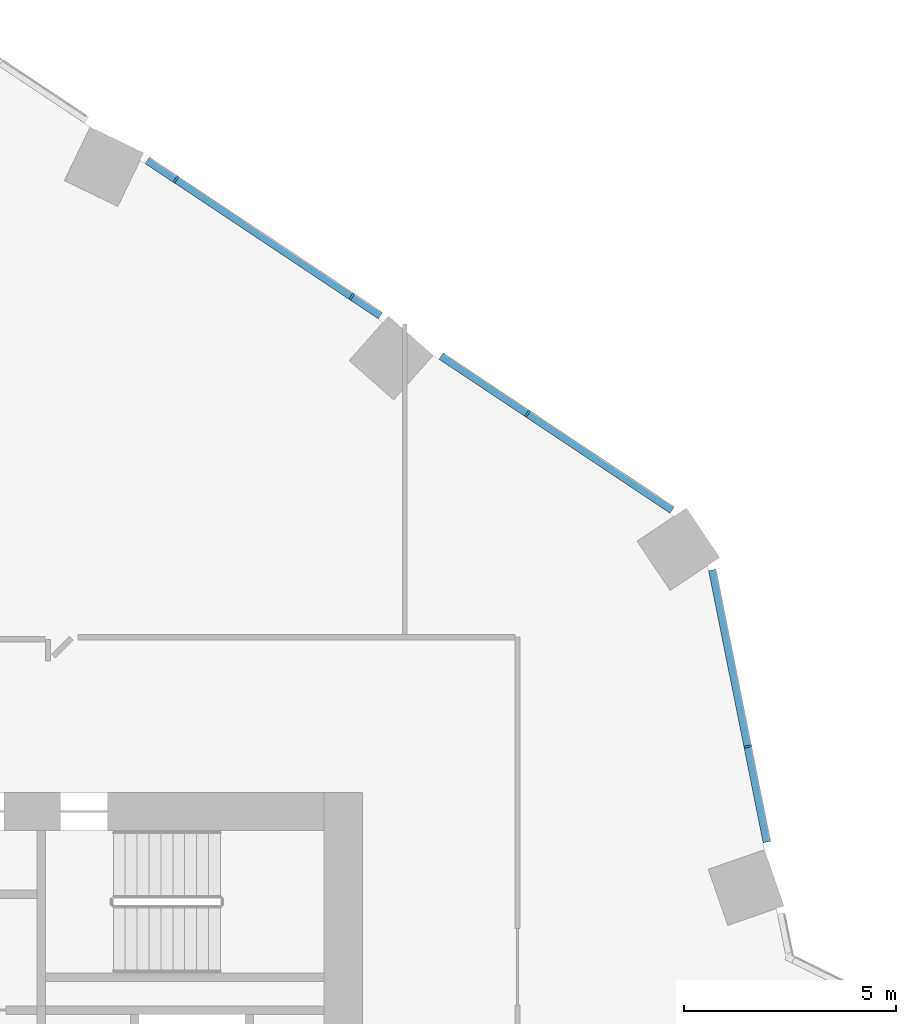
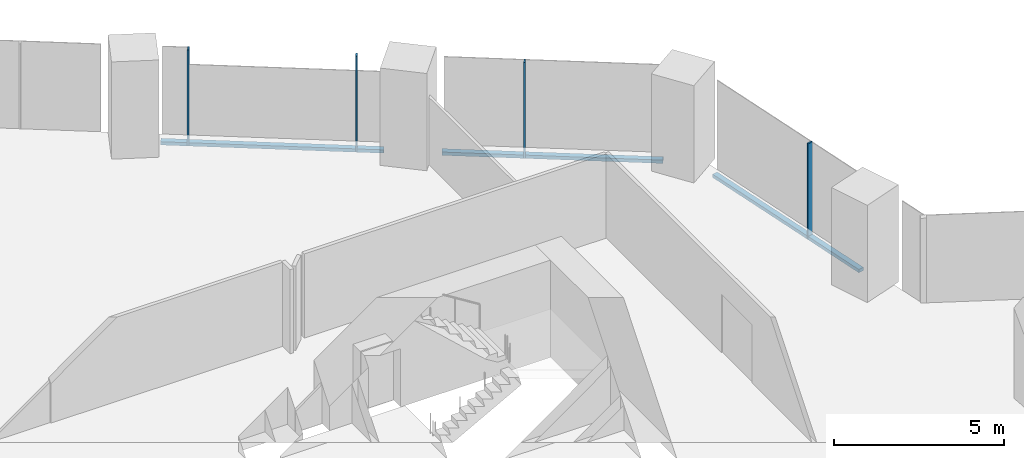
# One storey, part 15 of 38: 7 members, 2 elements without a shape of their own.
"""IFC4 building model written with IfcOpenShell, lengths in metres."""

from ifc_helpers import new_model, si_unit, direction, frame, origin, origin_2d, place, context, subcontext, project, spatial, rectangle, extrude, material, material_profile, profile_set, type_object, element, aggregate, save


model = new_model("IFC4")

# Units and contexts
model_context = context("Model", 3, precision=1e-05, world=origin(), true_north=direction((0.0, 1.0)))
body_context = subcontext(model_context, "Body", "Model", "MODEL_VIEW")
ifc_project = project(units=[si_unit("LENGTHUNIT", "METRE"), si_unit("AREAUNIT", "SQUARE_METRE"), si_unit("VOLUMEUNIT", "CUBIC_METRE"), si_unit("PLANEANGLEUNIT", "RADIAN"), si_unit("MASSUNIT", "GRAM", prefix="KILO")], contexts=[model_context])

# Site, building, storey
site_placement = place(None, origin())
site = spatial("IfcSite", under=ifc_project, at=site_placement, CompositionType="ELEMENT")
building_placement = place(site_placement, origin())
building = spatial("IfcBuilding", under=site, at=building_placement, Name="Orlundy Tower", CompositionType="ELEMENT")
storey_placement = place(building_placement, frame((0.0, 0.0, 72.800048828125)))
storey = spatial("IfcBuildingStorey", under=building, at=storey_placement, Name="L17", CompositionType="ELEMENT", Elevation=72.800048828125)

# Curtain wall, members
ifc_material_1 = material(Name="Aluminium bronze anodised", Category="aluminium")
curtain_wall_type = type_object("IfcCurtainWallType", Name="CW1 wall", PredefinedType="NOTDEFINED", material=ifc_material_1)
curtain_wall_1_placement = place(storey_placement, origin())
curtain_wall_1 = element("IfcCurtainWall", 1, at=curtain_wall_1_placement, inside=storey, type_object=curtain_wall_type, Name="CW1 run 016", PredefinedType="NOTDEFINED")
ifc_material_2 = material(Name="Aluminium bronze anodised", Category="aluminium")
ifc_material_profile_1 = material_profile(ifc_material_2, rectangle(XDim=0.179931640625, YDim=0.050048828125, at=origin_2d()), Name="CW1 mullion 50x180")
ifc_profile_set_1 = profile_set([ifc_material_profile_1], Name="Aluminium bronze anodised")
member_type_1 = type_object("IfcMemberType", Name="CW1 mullion 50x180", PredefinedType="MULLION", material=ifc_profile_set_1)
member_1_placement = place(storey_placement, frame((14.612548828125, 26.421142578125, -0.400146484375), z_axis=(0.0, 0.0, 1.0), x_axis=(0.554356579774, 0.832279269513, 0.0)))
member_1 = element("IfcMember", 2, at=member_1_placement, type_object=member_type_1, Name="CW1 mullion 46", PredefinedType="MULLION", context=body_context, shape_type="SweptSolid", body=[
    extrude(rectangle(XDim=0.179931640625, YDim=0.050048828125, at=origin_2d()), origin(), (0.0, 0.0, 1.0), 3.4501953125),
])
member_2_placement = place(storey_placement, frame((18.749267578125, 23.665771484375, -0.400146484375), z_axis=(0.0, 0.0, 1.0), x_axis=(0.554356579774, 0.832279269513, 0.0)))
member_2 = element("IfcMember", 3, at=member_2_placement, type_object=member_type_1, Name="CW1 mullion 47", PredefinedType="MULLION", context=body_context, shape_type="SweptSolid", body=[
    extrude(rectangle(XDim=0.179931640625, YDim=0.050048828125, at=origin_2d()), origin(), (0.0, 0.0, 1.0), 3.4501953125),
])
member_3_placement = place(storey_placement, frame((22.885986328125, 20.910400390625, -0.400146484375), z_axis=(0.0, 0.0, 1.0), x_axis=(0.554356579774, 0.832279269513, 0.0)))
member_3 = element("IfcMember", 4, at=member_3_placement, type_object=member_type_1, Name="CW1 mullion 48", PredefinedType="MULLION", context=body_context, shape_type="SweptSolid", body=[
    extrude(rectangle(XDim=0.179931640625, YDim=0.050048828125, at=origin_2d()), origin(), (0.0, 0.0, 1.0), 3.4501953125),
])

# Curtain wall, member
curtain_wall_2_placement = place(storey_placement, origin())
curtain_wall_2 = element("IfcCurtainWall", 5, at=curtain_wall_2_placement, inside=storey, type_object=curtain_wall_type, Name="CW1 run 017", PredefinedType="NOTDEFINED")
member_4_placement = place(storey_placement, frame((28.067138671875, 13.07861328125, -0.400146484375), z_axis=(0.0, 0.0, 1.0), x_axis=(0.980497937474, 0.196529373401, 0.0)))
member_4 = element("IfcMember", 6, at=member_4_placement, type_object=member_type_1, Name="CW1 mullion 50", PredefinedType="MULLION", context=body_context, shape_type="SweptSolid", body=[
    extrude(rectangle(XDim=0.179931640625, YDim=0.050048828125, at=origin_2d()), origin(), (0.0, 0.0, 1.0), 3.4501953125),
])

# Member
ifc_material_3 = material(Name="Aluminium bronze anodised", Category="aluminium")
ifc_material_profile_2 = material_profile(ifc_material_3, rectangle(XDim=0.179931640625, YDim=0.1201171875, at=origin_2d()), Name="CW1 transom 180x120")
ifc_profile_set_2 = profile_set([ifc_material_profile_2], Name="Aluminium bronze anodised")
member_type_2 = type_object("IfcMemberType", Name="CW1 transom 180x120", PredefinedType="USERDEFINED", material=ifc_profile_set_2)
member_5_placement = place(storey_placement, frame((13.9375, 26.87060546875, -0.340087890625), z_axis=(0.832295194407, -0.554332670304, 0.0), x_axis=(0.554332670304, 0.832295194407, 0.0)))
member_5 = element("IfcMember", 7, at=member_5_placement, type_object=member_type_2, Name="CW1 transom", ObjectType="TRANSOM", PredefinedType="USERDEFINED", context=body_context, shape_type="SweptSolid", body=[
    extrude(rectangle(XDim=0.179931640625, YDim=0.1201171875, at=origin_2d()), origin(), (0.0, 0.0, 1.0), 6.5927734375),
])

member_6_placement = place(storey_placement, frame((20.852783203125, 22.2646484375, -0.340087890625), z_axis=(0.832274498629, -0.55436374244, 0.0), x_axis=(0.55436374244, 0.832274498629, 0.0)))
member_6 = element("IfcMember", 8, at=member_6_placement, type_object=member_type_2, Name="CW1 transom", ObjectType="TRANSOM", PredefinedType="USERDEFINED", context=body_context, shape_type="SweptSolid", body=[
    extrude(rectangle(XDim=0.179931640625, YDim=0.1201171875, at=origin_2d()), origin(), (0.0, 0.0, 1.0), 6.531494140625),
])

aggregate(curtain_wall_1, [member_1, member_2, member_3, member_5, member_6])

member_7_placement = place(storey_placement, frame((27.23486328125, 17.2314453125, -0.340087890625), z_axis=(0.196533104282, -0.980497189655, 0.0), x_axis=(0.980497189655, 0.196533104282, 0.0)))
member_7 = element("IfcMember", 9, at=member_7_placement, type_object=member_type_2, Name="CW1 transom", ObjectType="TRANSOM", PredefinedType="USERDEFINED", context=body_context, shape_type="SweptSolid", body=[
    extrude(rectangle(XDim=0.179931640625, YDim=0.1201171875, at=origin_2d()), origin(), (0.0, 0.0, 1.0), 6.530517578125),
])

aggregate(curtain_wall_2, [member_4, member_7])

save(model, "model.ifc")
